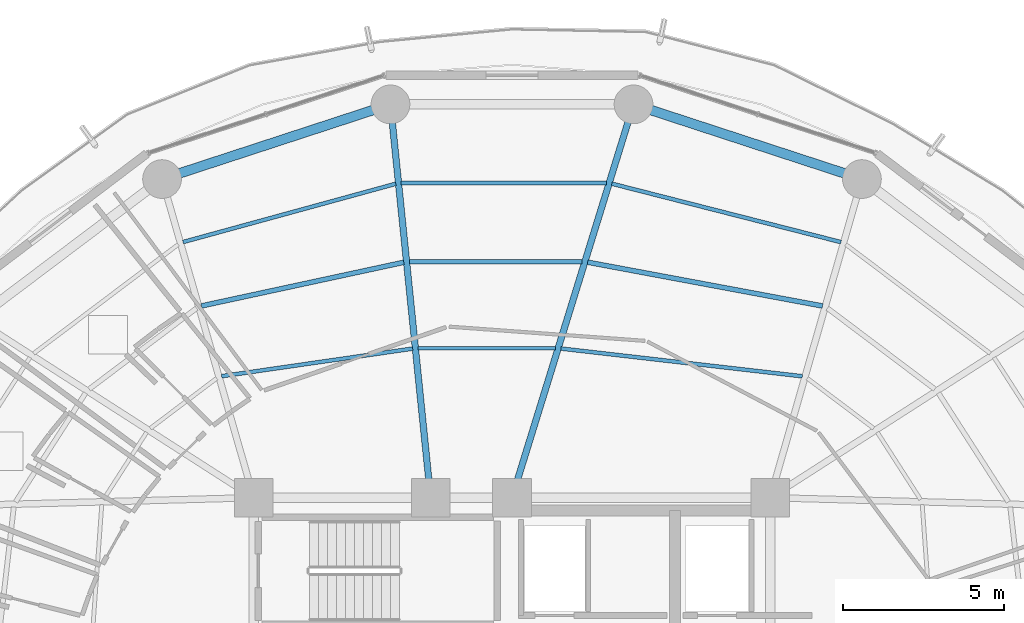
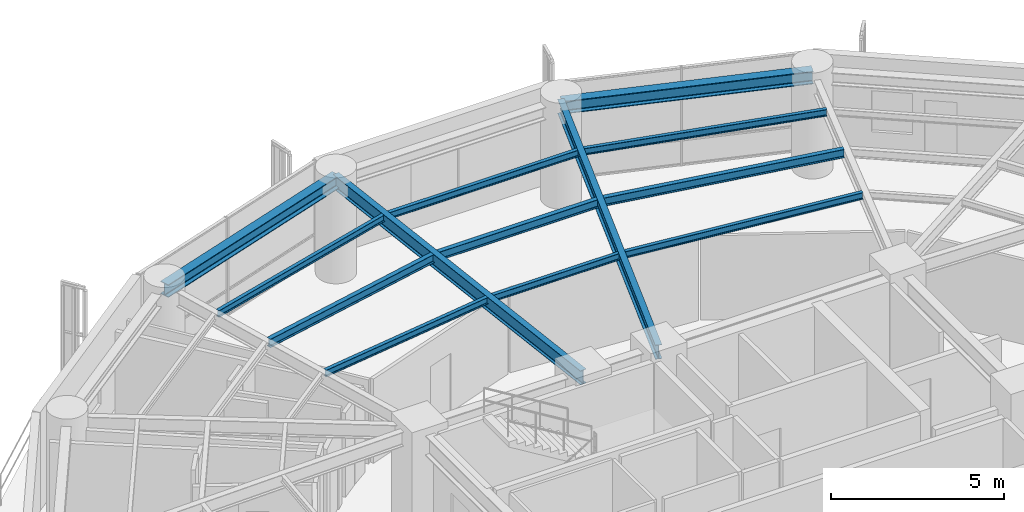
# One storey, part 17 of 28: 13 beams.
"""IFC4 building model written with IfcOpenShell, lengths in metres."""

from ifc_helpers import new_model, si_unit, direction, frame, origin, origin_2d, place, context, subcontext, project, spatial, i_section, extrude, material, material_profile, profile_set, type_object, element, save


model = new_model("IFC4")

# Units and contexts
model_context = context("Model", 3, precision=1e-05, world=origin(), true_north=direction((0.0, 1.0)))
body_context = subcontext(model_context, "Body", "Model", "MODEL_VIEW")
ifc_project = project(units=[si_unit("LENGTHUNIT", "METRE"), si_unit("AREAUNIT", "SQUARE_METRE"), si_unit("VOLUMEUNIT", "CUBIC_METRE"), si_unit("PLANEANGLEUNIT", "RADIAN"), si_unit("MASSUNIT", "GRAM", prefix="KILO")], contexts=[model_context])

# Site, building, storey
site_placement = place(None, origin())
site = spatial("IfcSite", under=ifc_project, at=site_placement, CompositionType="ELEMENT")
building_placement = place(site_placement, origin())
building = spatial("IfcBuilding", under=site, at=building_placement, Name="Kelanora Arch Commons", CompositionType="ELEMENT")
storey_placement = place(building_placement, frame((0.0, 0.0, 176.85009765625)))
storey = spatial("IfcBuildingStorey", under=building, at=storey_placement, Name="L45", CompositionType="ELEMENT", Elevation=176.85009765625)

# Beams
ifc_material = material(Name="Steel S355", Category="steel")
ifc_material_profile_1 = material_profile(ifc_material, i_section(OverallWidth=0.14990234375, OverallDepth=0.300048828125, WebThickness=0.007080078125, FlangeThickness=0.0107421875, FilletRadius=0.014892578125, at=origin_2d()), Name="IPE300")
ifc_profile_set_1 = profile_set([ifc_material_profile_1], Name="Steel S355")
beam_type_1 = type_object("IfcBeamType", Name="BM-JST-01", PredefinedType="JOIST", material=ifc_profile_set_1)
beam_1_placement = place(storey_placement, frame((83.620361328125, 70.937744140625, 3.33984375), z_axis=(-0.983054256126, 0.183314837134, 0.0), x_axis=(-0.183314837134, -0.983054256126, 0.0)))
element("IfcBeam", 1, at=beam_1_placement, inside=storey, type_object=beam_type_1, Name="Secondary Chord Joist BJB-06 L45", PredefinedType="JOIST", context=body_context, shape_type="SweptSolid", body=[
    extrude(i_section(OverallWidth=0.14990234375, OverallDepth=0.300048828125, WebThickness=0.007080078125, FlangeThickness=0.0107421875, FilletRadius=0.014892578125, at=origin_2d()), origin(), (0.0, 0.0, 1.0), 7.403564453125),
])
beam_2_placement = place(storey_placement, frame((76.173828125, 72.310546875, 3.33984375), z_axis=(-1.0, 0.0, 0.0), x_axis=(0.0, -1.0, 0.0)))
element("IfcBeam", 2, at=beam_2_placement, inside=storey, type_object=beam_type_1, Name="Secondary Chord Joist BJB-08 L45", PredefinedType="JOIST", context=body_context, shape_type="SweptSolid", body=[
    extrude(i_section(OverallWidth=0.14990234375, OverallDepth=0.300048828125, WebThickness=0.007080078125, FlangeThickness=0.0107421875, FilletRadius=0.014892578125, at=origin_2d()), origin(), (0.0, 0.0, 1.0), 5.355712890625),
])
beam_3_placement = place(storey_placement, frame((70.650146484375, 72.29248046875, 3.33984375), z_axis=(-0.977521966827, -0.210833594029, 0.0), x_axis=(0.210833594029, -0.977521966827, 0.0)))
element("IfcBeam", 3, at=beam_3_placement, inside=storey, type_object=beam_type_1, Name="Secondary Chord Joist BJB-10 L45", PredefinedType="JOIST", context=body_context, shape_type="SweptSolid", body=[
    extrude(i_section(OverallWidth=0.14990234375, OverallDepth=0.300048828125, WebThickness=0.007080078125, FlangeThickness=0.0107421875, FilletRadius=0.014892578125, at=origin_2d()), origin(), (0.0, 0.0, 1.0), 6.415283203125),
])
ifc_material_profile_2 = material_profile(ifc_material, i_section(OverallWidth=0.1201171875, OverallDepth=0.239990234375, WebThickness=0.006103515625, FlangeThickness=0.009765625, FilletRadius=0.014892578125, at=origin_2d()), Name="IPE240")
ifc_profile_set_2 = profile_set([ifc_material_profile_2], Name="Steel S355")
beam_type_2 = type_object("IfcBeamType", Name="BM-JST-02", PredefinedType="JOIST", material=ifc_profile_set_2)
beam_4_placement = place(storey_placement, frame((82.994873046875, 68.760498046875, 3.369873046875), z_axis=(-0.993457414184, 0.114203179475, 0.0), x_axis=(-0.114203179475, -0.993457414184, 0.0)))
element("IfcBeam", 4, at=beam_4_placement, inside=storey, type_object=beam_type_2, Name="Secondary Chord Joist BJA-06 L45", PredefinedType="JOIST", context=body_context, shape_type="SweptSolid", body=[
    extrude(i_section(OverallWidth=0.1201171875, OverallDepth=0.239990234375, WebThickness=0.006103515625, FlangeThickness=0.009765625, FilletRadius=0.014892578125, at=origin_2d()), origin(), (0.0, 0.0, 1.0), 7.529296875),
])
beam_5_placement = place(storey_placement, frame((84.189697265625, 72.917236328125, 3.369873046875), z_axis=(-0.96900232943, 0.247051584815, 0.0), x_axis=(-0.247051584815, -0.96900232943, 0.0)))
element("IfcBeam", 5, at=beam_5_placement, inside=storey, type_object=beam_type_2, Name="Secondary Chord Joist BJC-06 L45", PredefinedType="JOIST", context=body_context, shape_type="SweptSolid", body=[
    extrude(i_section(OverallWidth=0.1201171875, OverallDepth=0.239990234375, WebThickness=0.006103515625, FlangeThickness=0.009765625, FilletRadius=0.014892578125, at=origin_2d()), origin(), (0.0, 0.0, 1.0), 7.32275390625),
])
beam_6_placement = place(storey_placement, frame((75.345703125, 69.6298828125, 3.369873046875), z_axis=(-1.0, 0.0, 0.0), x_axis=(0.0, -1.0, 0.0)))
element("IfcBeam", 6, at=beam_6_placement, inside=storey, type_object=beam_type_2, Name="Secondary Chord Joist BJA-08 L45", PredefinedType="JOIST", context=body_context, shape_type="SweptSolid", body=[
    extrude(i_section(OverallWidth=0.1201171875, OverallDepth=0.239990234375, WebThickness=0.006103515625, FlangeThickness=0.009765625, FilletRadius=0.014892578125, at=origin_2d()), origin(), (0.0, 0.0, 1.0), 4.253662109375),
])
beam_7_placement = place(storey_placement, frame((76.9267578125, 74.747314453125, 3.369873046875), z_axis=(-1.0, 0.0, 0.0), x_axis=(0.0, -1.0, 0.0)))
element("IfcBeam", 7, at=beam_7_placement, inside=storey, type_object=beam_type_2, Name="Secondary Chord Joist BJC-08 L45", PredefinedType="JOIST", context=body_context, shape_type="SweptSolid", body=[
    extrude(i_section(OverallWidth=0.1201171875, OverallDepth=0.239990234375, WebThickness=0.006103515625, FlangeThickness=0.009765625, FilletRadius=0.014892578125, at=origin_2d()), origin(), (0.0, 0.0, 1.0), 6.357666015625),
])
beam_8_placement = place(storey_placement, frame((70.9228515625, 69.617919921875, 3.369873046875), z_axis=(-0.989718726051, -0.143027421508, 0.0), x_axis=(0.143027421508, -0.989718726051, 0.0)))
element("IfcBeam", 8, at=beam_8_placement, inside=storey, type_object=beam_type_2, Name="Secondary Chord Joist BJA-10 L45", PredefinedType="JOIST", context=body_context, shape_type="SweptSolid", body=[
    extrude(i_section(OverallWidth=0.1201171875, OverallDepth=0.239990234375, WebThickness=0.006103515625, FlangeThickness=0.009765625, FilletRadius=0.014892578125, at=origin_2d()), origin(), (0.0, 0.0, 1.0), 5.9794921875),
])
beam_9_placement = place(storey_placement, frame((70.40234375, 74.724853515625, 3.369873046875), z_axis=(-0.964456541131, -0.264241518824, 0.0), x_axis=(0.264241518824, -0.964456541131, 0.0)))
element("IfcBeam", 9, at=beam_9_placement, inside=storey, type_object=beam_type_2, Name="Secondary Chord Joist BJC-10 L45", PredefinedType="JOIST", context=body_context, shape_type="SweptSolid", body=[
    extrude(i_section(OverallWidth=0.1201171875, OverallDepth=0.239990234375, WebThickness=0.006103515625, FlangeThickness=0.009765625, FilletRadius=0.014892578125, at=origin_2d()), origin(), (0.0, 0.0, 1.0), 6.835205078125),
])
ifc_material_profile_3 = material_profile(ifc_material, i_section(OverallWidth=0.199951171875, OverallDepth=0.5, WebThickness=0.01025390625, FlangeThickness=0.01611328125, FilletRadius=0.02099609375, at=origin_2d()), Name="IPE500")
ifc_profile_set_3 = profile_set([ifc_material_profile_3], Name="Steel S355")
beam_type_3 = type_object("IfcBeamType", Name="BM-RAD-Z3", PredefinedType="BEAM", material=ifc_profile_set_3)
beam_10_placement = place(storey_placement, frame((74.0, 65.0, 3.239990234375), z_axis=(0.295210315095, 0.955432294755, 0.0), x_axis=(-0.955432294755, 0.295210315095, 0.0)))
element("IfcBeam", 10, at=beam_10_placement, inside=storey, type_object=beam_type_3, Name="Radial Floor Girder BR-08 L45", PredefinedType="BEAM", context=body_context, shape_type="SweptSolid", body=[
    extrude(i_section(OverallWidth=0.199951171875, OverallDepth=0.5, WebThickness=0.01025390625, FlangeThickness=0.01611328125, FilletRadius=0.02099609375, at=origin_2d()), origin(), (0.0, 0.0, 1.0), 12.75244140625),
])
beam_11_placement = place(storey_placement, frame((71.47998046875, 65.0, 3.239990234375), z_axis=(-0.101623200789, 0.994822961668, 0.0), x_axis=(-0.994822961668, -0.101623200789, 0.0)))
element("IfcBeam", 11, at=beam_11_placement, inside=storey, type_object=beam_type_3, Name="Radial Floor Girder BR-10 L45", PredefinedType="BEAM", context=body_context, shape_type="SweptSolid", body=[
    extrude(i_section(OverallWidth=0.199951171875, OverallDepth=0.5, WebThickness=0.01025390625, FlangeThickness=0.01611328125, FilletRadius=0.02099609375, at=origin_2d()), origin(), (0.0, 0.0, 1.0), 12.24755859375),
])
ifc_material_profile_4 = material_profile(ifc_material, i_section(OverallWidth=0.300048828125, OverallDepth=0.449951171875, WebThickness=0.013916015625, FlangeThickness=0.02587890625, FilletRadius=0.027099609375, at=origin_2d()), Name="HEB450")
ifc_profile_set_4 = profile_set([ifc_material_profile_4], Name="Steel S355")
beam_type_4 = type_object("IfcBeamType", Name="BM-SPN-Z3", PredefinedType="SPANDREL", material=ifc_profile_set_4)
for number, where, z_axis, x_axis, name in (
    (12, (84.840087890625, 74.8701171875, 3.264892578125), (-0.950461975786, 0.310840847676, 0.0), (-0.310840847676, -0.950461975786, 0.0), "Perimeter Spandrel Beam BS-06 L45"),
    (13, (70.2353515625, 77.18408203125, 3.264892578125), (-0.950461975786, -0.310840847676, 0.0), (0.310840847676, -0.950461975786, 0.0), "Perimeter Spandrel Beam BS-10 L45"),
):
    element("IfcBeam", number, at=place(storey_placement, frame(where, z_axis=z_axis, x_axis=x_axis)), inside=storey, type_object=beam_type_4, Name=name, PredefinedType="SPANDREL", context=body_context, shape_type="SweptSolid", body=[
        extrude(i_section(OverallWidth=0.300048828125, OverallDepth=0.449951171875, WebThickness=0.013916015625, FlangeThickness=0.02587890625, FilletRadius=0.027099609375, at=origin_2d()), origin(), (0.0, 0.0, 1.0), 7.444091796875),
    ])

save(model, "model.ifc")
